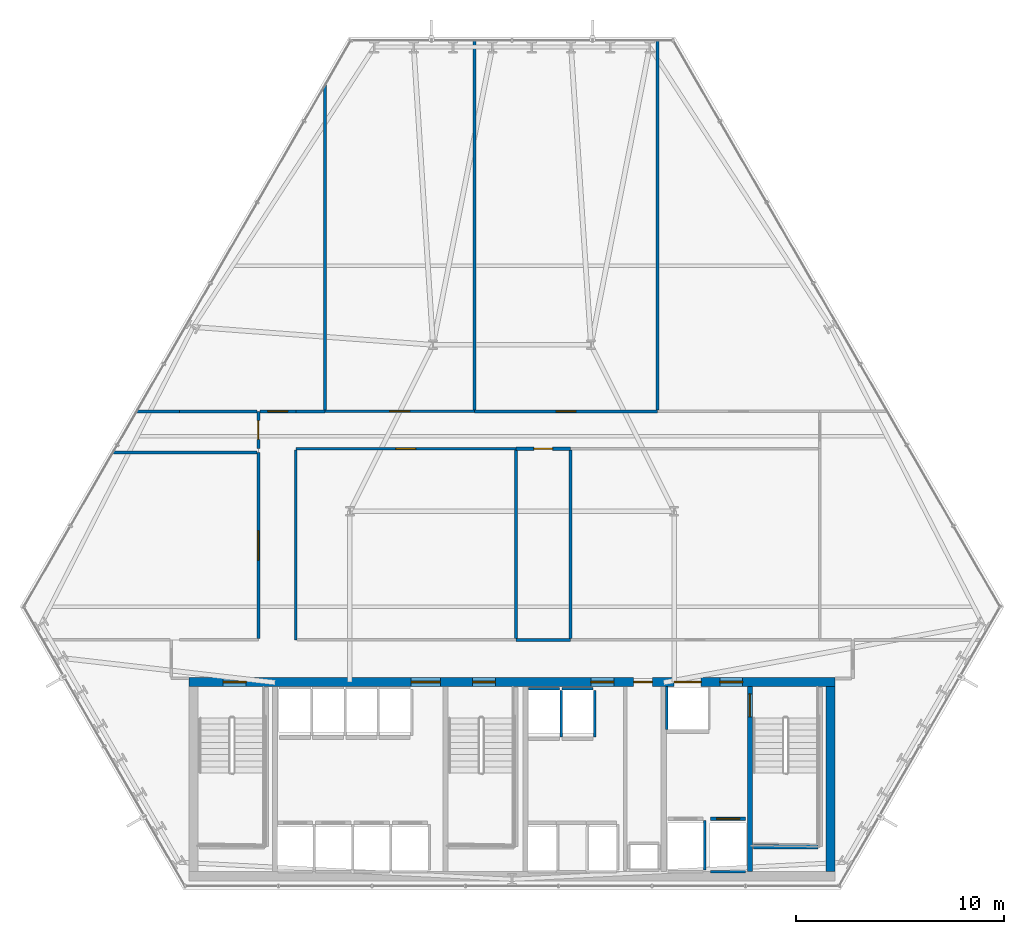
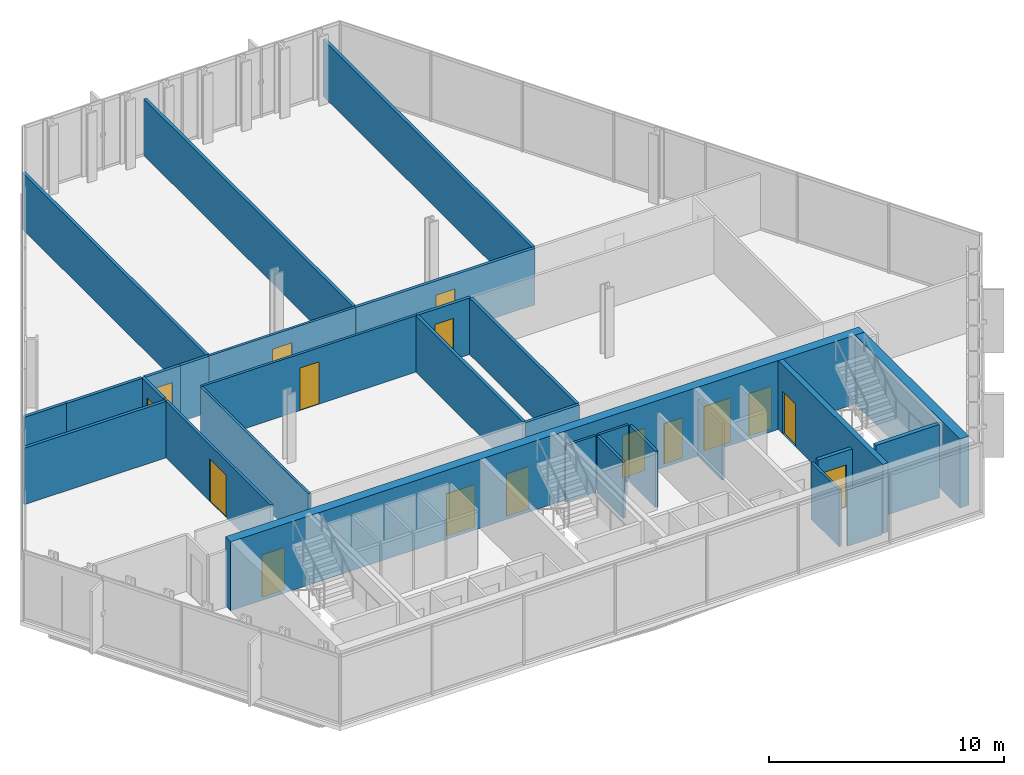
# One storey, part 27 of 32: 30 walls, 16 doors, 16 openings.
"""IFC4 building model written with IfcOpenShell, lengths in metres."""

from ifc_helpers import new_model, si_unit, direction, frame, frame_2d, origin, place, context, subcontext, project, spatial, rectangle, extrude, material, layer, layer_set, type_object, element, fill, save


model = new_model("IFC4")

# Units and contexts
model_context = context("Model", 3, precision=1e-05, world=origin(), true_north=direction((0.0, 1.0)))
body_context = subcontext(model_context, "Body", "Model", "MODEL_VIEW")
ifc_project = project(units=[si_unit("LENGTHUNIT", "METRE"), si_unit("AREAUNIT", "SQUARE_METRE"), si_unit("VOLUMEUNIT", "CUBIC_METRE"), si_unit("PLANEANGLEUNIT", "RADIAN"), si_unit("MASSUNIT", "GRAM", prefix="KILO")], contexts=[model_context])

# Site, building, storey
site_placement = place(None, origin())
site = spatial("IfcSite", under=ifc_project, at=site_placement, CompositionType="ELEMENT")
building_placement = place(site_placement, origin())
building = spatial("IfcBuilding", under=site, at=building_placement, Name="Ndaravel Arena Tower", CompositionType="ELEMENT")
storey_placement = place(building_placement, frame((0.0, 0.0, 62.60009765625)))
storey = spatial("IfcBuildingStorey", under=building, at=storey_placement, Name="L13", CompositionType="ELEMENT", Elevation=62.60009765625)

# Wall, opening, door
ifc_material_1 = material(Name="Concrete C60/75", Category="concrete")
ifc_layer_1 = layer(ifc_material_1, 0.25)
ifc_layer_set_1 = layer_set([ifc_layer_1], Name="Concrete C60/75")
wall_type_1 = type_object("IfcWallType", Name="WALL-CORE-250", PredefinedType="SOLIDWALL", material=ifc_layer_set_1)
wall_1_placement = place(storey_placement, frame((53.449951171875, 5.85009765625, 0.0), z_axis=(0.0, 0.0, 1.0), x_axis=(0.0, 1.0, 0.0)))
wall_1 = element("IfcWall", 1, at=wall_1_placement, inside=storey, type_object=wall_type_1, Name="L13 Core Web Shear Wall 5", PredefinedType="SOLIDWALL", context=body_context, shape_type="SweptSolid", body=[
    extrude(rectangle(XDim=8.89990234375, YDim=0.25, at=frame_2d((4.449951171875, 0.0))), origin(), (0.0, 0.0, 1.0), 3.579833984375),
])
opening_1_placement = place(wall_1_placement, frame((7.449951171875, 0.0, 0.0)))
opening_1 = element("IfcOpeningElement", 2, at=opening_1_placement, cuts=wall_1, Name="Opening FD-01", PredefinedType="OPENING", context=body_context, shape_type="SweptSolid", body=[
    extrude(rectangle(XDim=1.10009765625, YDim=2.199951171875, at=frame_2d((0.550048828125, 1.10009765625))), frame((0.0, 0.125, 0.0), z_axis=(0.0, -1.0, 0.0), x_axis=(1.0, 0.0, 0.0)), (0.0, 0.0, 1.0), 0.25),
])
ifc_material_2 = material(Name="Steel S355", Category="steel")
door_type_1 = type_object("IfcDoorType", Name="DT-01-STAIR-1100", OperationType="SINGLE_SWING_LEFT", PredefinedType="DOOR", material=ifc_material_2)
door_1_placement = place(opening_1_placement, origin())
door_1 = element("IfcDoor", 3, at=door_1_placement, inside=storey, type_object=door_type_1, Name="L13 Firefighting Lobby to ST-3 Door", OperationType="SINGLE_SWING_LEFT", OverallHeight=2.199951171875, OverallWidth=1.10009765625, PredefinedType="DOOR", context=body_context, shape_type="SweptSolid", body=[
    extrude(rectangle(XDim=1.10009765625, YDim=2.199951171875, at=frame_2d((0.550048828125, 1.10009765625))), frame((0.0, 0.02490234375, 0.0), z_axis=(0.0, -1.0, 0.0), x_axis=(1.0, 0.0, 0.0)), (0.0, 0.0, 1.0), 0.050048828125),
])
fill(opening_1, door_1)

# Wall, openings, doors
ifc_material_3 = material(Name="Concrete C60/75", Category="concrete")
ifc_layer_2 = layer(ifc_material_3, 0.449951171875)
ifc_layer_set_2 = layer_set([ifc_layer_2], Name="Concrete C60/75")
wall_type_2 = type_object("IfcWallType", Name="WALL-CORE-450", PredefinedType="SOLIDWALL", material=ifc_layer_set_2)
wall_2_placement = place(storey_placement, frame((26.449951171875, 14.97509765625, 0.0), z_axis=(0.0, 0.0, 1.0), x_axis=(1.0, 0.0, 0.0)))
wall_2 = element("IfcWall", 4, at=wall_2_placement, inside=storey, type_object=wall_type_2, Name="L13 Core North Shear Wall", PredefinedType="SOLIDWALL", context=body_context, shape_type="SweptSolid", body=[
    extrude(rectangle(XDim=31.10009765625, YDim=0.449951171875, at=frame_2d((15.550048828125, 0.0))), origin(), (0.0, 0.0, 1.0), 3.579833984375),
])
opening_2_placement = place(wall_2_placement, frame((1.64990234375, 0.0, 0.0)))
opening_2 = element("IfcOpeningElement", 5, at=opening_2_placement, cuts=wall_2, Name="Opening FD-01", PredefinedType="OPENING", context=body_context, shape_type="SweptSolid", body=[
    extrude(rectangle(XDim=1.10009765625, YDim=2.199951171875, at=frame_2d((0.550048828125, 1.10009765625))), frame((0.0, 0.22509765625, 0.0), z_axis=(0.0, -1.0, 0.0), x_axis=(1.0, 0.0, 0.0)), (0.0, 0.0, 1.0), 0.449951171875),
])
opening_3_placement = place(wall_2_placement, frame((13.64990234375, 0.0, 0.0)))
opening_3 = element("IfcOpeningElement", 6, at=opening_3_placement, cuts=wall_2, Name="Opening FD-01", PredefinedType="OPENING", context=body_context, shape_type="SweptSolid", body=[
    extrude(rectangle(XDim=1.10009765625, YDim=2.199951171875, at=frame_2d((0.550048828125, 1.10009765625))), frame((0.0, 0.22509765625, 0.0), z_axis=(0.0, -1.0, 0.0), x_axis=(1.0, 0.0, 0.0)), (0.0, 0.0, 1.0), 0.449951171875),
])
opening_4_placement = place(wall_2_placement, frame((25.550048828125, 0.0, 0.0)))
opening_4 = element("IfcOpeningElement", 7, at=opening_4_placement, cuts=wall_2, Name="Opening FD-01", PredefinedType="OPENING", context=body_context, shape_type="SweptSolid", body=[
    extrude(rectangle(XDim=1.10009765625, YDim=2.199951171875, at=frame_2d((0.550048828125, 1.10009765625))), frame((0.0, 0.22509765625, 0.0), z_axis=(0.0, -1.0, 0.0), x_axis=(1.0, 0.0, 0.0)), (0.0, 0.0, 1.0), 0.449951171875),
])
opening_5_placement = place(wall_2_placement, frame((10.699951171875, 0.0, 0.0)))
opening_5 = element("IfcOpeningElement", 8, at=opening_5_placement, cuts=wall_2, Name="Opening ID-02", PredefinedType="OPENING", context=body_context, shape_type="SweptSolid", body=[
    extrude(rectangle(XDim=1.39990234375, YDim=2.199951171875, at=frame_2d((0.699951171875, 1.10009765625))), frame((0.0, 0.22509765625, 0.0), z_axis=(0.0, -1.0, 0.0), x_axis=(1.0, 0.0, 0.0)), (0.0, 0.0, 1.0), 0.449951171875),
])
opening_6_placement = place(wall_2_placement, frame((19.35009765625, 0.0, 0.0)))
opening_6 = element("IfcOpeningElement", 9, at=opening_6_placement, cuts=wall_2, Name="Opening FD-01", PredefinedType="OPENING", context=body_context, shape_type="SweptSolid", body=[
    extrude(rectangle(XDim=1.10009765625, YDim=2.199951171875, at=frame_2d((0.550048828125, 1.10009765625))), frame((0.0, 0.22509765625, 0.0), z_axis=(0.0, -1.0, 0.0), x_axis=(1.0, 0.0, 0.0)), (0.0, 0.0, 1.0), 0.449951171875),
])
opening_7_placement = place(wall_2_placement, frame((21.39990234375, 0.0, 0.0)))
opening_7 = element("IfcOpeningElement", 10, at=opening_7_placement, cuts=wall_2, Name="Opening RD-01", PredefinedType="OPENING", context=body_context, shape_type="SweptSolid", body=[
    extrude(rectangle(XDim=0.89990234375, YDim=2.10009765625, at=frame_2d((0.449951171875, 1.050048828125))), frame((0.0, 0.22509765625, 0.0), z_axis=(0.0, -1.0, 0.0), x_axis=(1.0, 0.0, 0.0)), (0.0, 0.0, 1.0), 0.449951171875),
])
opening_8_placement = place(wall_2_placement, frame((23.35009765625, 0.0, 0.0)))
opening_8 = element("IfcOpeningElement", 11, at=opening_8_placement, cuts=wall_2, Name="Opening LD-02", PredefinedType="OPENING", context=body_context, shape_type="SweptSolid", body=[
    extrude(rectangle(XDim=1.300048828125, YDim=2.300048828125, at=frame_2d((0.64990234375, 1.14990234375))), frame((0.0, 0.22509765625, 0.0), z_axis=(0.0, -1.0, 0.0), x_axis=(1.0, 0.0, 0.0)), (0.0, 0.0, 1.0), 0.449951171875),
])
door_2_placement = place(opening_2_placement, origin())
door_2 = element("IfcDoor", 12, at=door_2_placement, inside=storey, type_object=door_type_1, Name="L13 Exit Stair ST-1 Door", OperationType="SINGLE_SWING_RIGHT", OverallHeight=2.199951171875, OverallWidth=1.10009765625, PredefinedType="DOOR", context=body_context, shape_type="SweptSolid", body=[
    extrude(rectangle(XDim=1.10009765625, YDim=2.199951171875, at=frame_2d((0.550048828125, 1.10009765625))), frame((0.0, 0.02490234375, 0.0), z_axis=(0.0, -1.0, 0.0), x_axis=(1.0, 0.0, 0.0)), (0.0, 0.0, 1.0), 0.050048828125),
])
fill(opening_2, door_2)
door_3_placement = place(opening_3_placement, origin())
door_3 = element("IfcDoor", 13, at=door_3_placement, inside=storey, type_object=door_type_1, Name="L13 Exit Stair ST-2 Door", OperationType="SINGLE_SWING_LEFT", OverallHeight=2.199951171875, OverallWidth=1.10009765625, PredefinedType="DOOR", context=body_context, shape_type="SweptSolid", body=[
    extrude(rectangle(XDim=1.10009765625, YDim=2.199951171875, at=frame_2d((0.550048828125, 1.10009765625))), frame((0.0, 0.02490234375, 0.0), z_axis=(0.0, -1.0, 0.0), x_axis=(1.0, 0.0, 0.0)), (0.0, 0.0, 1.0), 0.050048828125),
])
fill(opening_3, door_3)
door_4_placement = place(opening_4_placement, origin())
door_4 = element("IfcDoor", 14, at=door_4_placement, inside=storey, type_object=door_type_1, Name="L13 Firefighting Lift Lobby Door", OperationType="SINGLE_SWING_RIGHT", OverallHeight=2.199951171875, OverallWidth=1.10009765625, PredefinedType="DOOR", context=body_context, shape_type="SweptSolid", body=[
    extrude(rectangle(XDim=1.10009765625, YDim=2.199951171875, at=frame_2d((0.550048828125, 1.10009765625))), frame((0.0, 0.02490234375, 0.0), z_axis=(0.0, -1.0, 0.0), x_axis=(1.0, 0.0, 0.0)), (0.0, 0.0, 1.0), 0.050048828125),
])
fill(opening_4, door_4)
door_5_placement = place(opening_6_placement, origin())
door_5 = element("IfcDoor", 15, at=door_5_placement, inside=storey, type_object=door_type_1, Name="L13 Express Lift Lobby Entry Door", OperationType="SINGLE_SWING_LEFT", OverallHeight=2.199951171875, OverallWidth=1.10009765625, PredefinedType="DOOR", context=body_context, shape_type="SweptSolid", body=[
    extrude(rectangle(XDim=1.10009765625, YDim=2.199951171875, at=frame_2d((0.550048828125, 1.10009765625))), frame((0.0, 0.02490234375, 0.0), z_axis=(0.0, -1.0, 0.0), x_axis=(1.0, 0.0, 0.0)), (0.0, 0.0, 1.0), 0.050048828125),
])
fill(opening_6, door_5)
ifc_material_4 = material(Name="Timber", Category="wood")
door_type_2 = type_object("IfcDoorType", Name="DT-04-SUITE-1400", OperationType="DOUBLE_DOOR_SINGLE_SWING", PredefinedType="DOOR", material=ifc_material_4)
door_6_placement = place(opening_5_placement, origin())
door_6 = element("IfcDoor", 16, at=door_6_placement, inside=storey, type_object=door_type_2, Name="L13 West Lift Lobby Entry Door", OperationType="DOUBLE_DOOR_SINGLE_SWING", OverallHeight=2.199951171875, OverallWidth=1.39990234375, PredefinedType="DOOR", context=body_context, shape_type="SweptSolid", body=[
    extrude(rectangle(XDim=1.39990234375, YDim=2.199951171875, at=frame_2d((0.699951171875, 1.10009765625))), frame((0.0, 0.02490234375, 0.0), z_axis=(0.0, -1.0, 0.0), x_axis=(1.0, 0.0, 0.0)), (0.0, 0.0, 1.0), 0.050048828125),
])
fill(opening_5, door_6)
ifc_material_5 = material(Name="Steel S355", Category="steel")
door_type_3 = type_object("IfcDoorType", Name="DT-07-SVLIFT-1300", OperationType="DOUBLE_DOOR_SLIDING", PredefinedType="DOOR", material=ifc_material_5)
door_7_placement = place(opening_8_placement, origin())
door_7 = element("IfcDoor", 17, at=door_7_placement, inside=storey, type_object=door_type_3, Name="L13 Lift SVL-1 Sliding Landing Door", OperationType="DOUBLE_DOOR_SLIDING", OverallHeight=2.300048828125, OverallWidth=1.300048828125, PredefinedType="DOOR", context=body_context, shape_type="SweptSolid", body=[
    extrude(rectangle(XDim=1.300048828125, YDim=2.300048828125, at=frame_2d((0.64990234375, 1.14990234375))), frame((0.0, 0.02490234375, 0.0), z_axis=(0.0, -1.0, 0.0), x_axis=(1.0, 0.0, 0.0)), (0.0, 0.0, 1.0), 0.050048828125),
])
fill(opening_8, door_7)
ifc_material_6 = material(Name="Steel S355", Category="steel")
door_type_4 = type_object("IfcDoorType", Name="DT-08-RISER-900", OperationType="SINGLE_SWING_LEFT", PredefinedType="DOOR", material=ifc_material_6)
door_8_placement = place(opening_7_placement, origin())
door_8 = element("IfcDoor", 18, at=door_8_placement, inside=storey, type_object=door_type_4, Name="L13 Core Service Riser North Door", OperationType="SINGLE_SWING_LEFT", OverallHeight=2.10009765625, OverallWidth=0.89990234375, PredefinedType="DOOR", context=body_context, shape_type="SweptSolid", body=[
    extrude(rectangle(XDim=0.89990234375, YDim=2.10009765625, at=frame_2d((0.449951171875, 1.050048828125))), frame((0.0, 0.02490234375, 0.0), z_axis=(0.0, -1.0, 0.0), x_axis=(1.0, 0.0, 0.0)), (0.0, 0.0, 1.0), 0.050048828125),
])
fill(opening_7, door_8)

# Wall
wall_3_placement = place(storey_placement, frame((57.324951171875, 5.85009765625, 0.0), z_axis=(0.0, 0.0, 1.0), x_axis=(0.0, 1.0, 0.0)))
element("IfcWall", 19, at=wall_3_placement, inside=storey, type_object=wall_type_2, Name="L13 Core East Shear Wall", PredefinedType="SOLIDWALL", context=body_context, shape_type="SweptSolid", body=[
    extrude(rectangle(XDim=8.89990234375, YDim=0.449951171875, at=frame_2d((4.449951171875, 0.0))), origin(), (0.0, 0.0, 1.0), 3.579833984375),
])

# Wall, opening, door
ifc_material_7 = material(Name="Gypsum", Category="gypsum")
ifc_layer_3 = layer(ifc_material_7, 0.125)
ifc_layer_set_3 = layer_set([ifc_layer_3], Name="Gypsum")
wall_type_3 = type_object("IfcWallType", Name="WALL-PART-125", PredefinedType="PARTITIONING", material=ifc_layer_set_3)
wall_4_placement = place(storey_placement, frame((29.800048828125, 17.06494140625, 0.0), z_axis=(0.0, 0.0, 1.0), x_axis=(0.0, 1.0, 0.0)))
wall_4 = element("IfcWall", 20, at=wall_4_placement, inside=storey, type_object=wall_type_3, Name="L13 Interior Partition 006", PredefinedType="PARTITIONING", context=body_context, shape_type="SweptSolid", body=[
    extrude(rectangle(XDim=8.955078125, YDim=0.125, at=frame_2d((4.4775390625, 0.0))), origin(), (0.0, 0.0, 1.0), 2.9326171875),
])
opening_9_placement = place(wall_4_placement, frame((3.777587890625, 0.0, 0.0)))
opening_9 = element("IfcOpeningElement", 21, at=opening_9_placement, cuts=wall_4, Name="Opening ID-02", PredefinedType="OPENING", context=body_context, shape_type="SweptSolid", body=[
    extrude(rectangle(XDim=1.39990234375, YDim=2.199951171875, at=frame_2d((0.699951171875, 1.10009765625))), frame((0.0, 0.0625, 0.0), z_axis=(0.0, -1.0, 0.0), x_axis=(1.0, 0.0, 0.0)), (0.0, 0.0, 1.0), 0.125),
])
door_9_placement = place(opening_9_placement, origin())
door_9 = element("IfcDoor", 22, at=door_9_placement, inside=storey, type_object=door_type_2, Name="L13 Visitor Reception Desk Door", OperationType="SINGLE_SWING_RIGHT", OverallHeight=2.199951171875, OverallWidth=1.39990234375, PredefinedType="DOOR", context=body_context, shape_type="SweptSolid", body=[
    extrude(rectangle(XDim=1.39990234375, YDim=2.199951171875, at=frame_2d((0.699951171875, 1.10009765625))), frame((0.0, 0.02490234375, 0.0), z_axis=(0.0, -1.0, 0.0), x_axis=(1.0, 0.0, 0.0)), (0.0, 0.0, 1.0), 0.050048828125),
])
fill(opening_9, door_9)

wall_5_placement = place(storey_placement, frame((33.0, 28.0, 0.0), z_axis=(0.0, 0.0, 1.0), x_axis=(1.0, 0.0, 0.0)))
wall_5 = element("IfcWall", 23, at=wall_5_placement, inside=storey, type_object=wall_type_3, Name="L13 Interior Partition 010", PredefinedType="PARTITIONING", context=body_context, shape_type="SweptSolid", body=[
    extrude(rectangle(XDim=7.199951171875, YDim=0.125, at=frame_2d((3.60009765625, 0.0))), origin(), (0.0, 0.0, 1.0), 2.9326171875),
])
opening_10_placement = place(wall_5_placement, frame((3.125, 0.0, 0.0)))
opening_10 = element("IfcOpeningElement", 24, at=opening_10_placement, cuts=wall_5, Name="Opening ID-01", PredefinedType="OPENING", context=body_context, shape_type="SweptSolid", body=[
    extrude(rectangle(XDim=0.949951171875, YDim=2.199951171875, at=frame_2d((0.47509765625, 1.10009765625))), frame((0.0, 0.0625, 0.0), z_axis=(0.0, -1.0, 0.0), x_axis=(1.0, 0.0, 0.0)), (0.0, 0.0, 1.0), 0.125),
])
ifc_material_8 = material(Name="Timber", Category="wood")
door_type_5 = type_object("IfcDoorType", Name="DT-03-OFFICE-950", OperationType="SINGLE_SWING_LEFT", PredefinedType="DOOR", material=ifc_material_8)
door_10_placement = place(opening_10_placement, origin())
door_10 = element("IfcDoor", 25, at=door_10_placement, inside=storey, type_object=door_type_5, Name="L13 Executive Corner Office 4 Door", OperationType="SINGLE_SWING_RIGHT", OverallHeight=2.199951171875, OverallWidth=0.949951171875, PredefinedType="DOOR", context=body_context, shape_type="SweptSolid", body=[
    extrude(rectangle(XDim=0.949951171875, YDim=2.199951171875, at=frame_2d((0.47509765625, 1.10009765625))), frame((0.0, 0.02490234375, 0.0), z_axis=(0.0, -1.0, 0.0), x_axis=(1.0, 0.0, 0.0)), (0.0, 0.0, 1.0), 0.050048828125),
])
fill(opening_10, door_10)

wall_6_placement = place(storey_placement, frame((42.18408203125, 26.199951171875, 0.0), z_axis=(0.0, 0.0, 1.0), x_axis=(-1.0, 0.0, 0.0)))
wall_6 = element("IfcWall", 26, at=wall_6_placement, inside=storey, type_object=wall_type_3, Name="L13 Interior Partition 016", PredefinedType="PARTITIONING", context=body_context, shape_type="SweptSolid", body=[
    extrude(rectangle(XDim=10.583984375, YDim=0.125, at=frame_2d((5.2919921875, 0.0))), origin(), (0.0, 0.0, 1.0), 2.9326171875),
])
opening_11_placement = place(wall_6_placement, frame((4.81689453125, 0.0, 0.0)))
opening_11 = element("IfcOpeningElement", 27, at=opening_11_placement, cuts=wall_6, Name="Opening ID-01", PredefinedType="OPENING", context=body_context, shape_type="SweptSolid", body=[
    extrude(rectangle(XDim=0.949951171875, YDim=2.199951171875, at=frame_2d((0.47509765625, 1.10009765625))), frame((0.0, 0.0625, 0.0), z_axis=(0.0, -1.0, 0.0), x_axis=(1.0, 0.0, 0.0)), (0.0, 0.0, 1.0), 0.125),
])
door_11_placement = place(opening_11_placement, origin())
door_11 = element("IfcDoor", 28, at=door_11_placement, inside=storey, type_object=door_type_5, Name="L13 Floor Security Control Room Door", OperationType="SINGLE_SWING_LEFT", OverallHeight=2.199951171875, OverallWidth=0.949951171875, PredefinedType="DOOR", context=body_context, shape_type="SweptSolid", body=[
    extrude(rectangle(XDim=0.949951171875, YDim=2.199951171875, at=frame_2d((0.47509765625, 1.10009765625))), frame((0.0, 0.02490234375, 0.0), z_axis=(0.0, -1.0, 0.0), x_axis=(1.0, 0.0, 0.0)), (0.0, 0.0, 1.0), 0.050048828125),
])
fill(opening_11, door_11)

# Walls
wall_7_placement = place(storey_placement, frame((31.60009765625, 26.135009765625, 0.0), z_axis=(0.0, 0.0, 1.0), x_axis=(0.0, -1.0, 0.0)))
element("IfcWall", 29, at=wall_7_placement, inside=storey, type_object=wall_type_3, Name="L13 Interior Partition 017", PredefinedType="PARTITIONING", context=body_context, shape_type="SweptSolid", body=[
    extrude(rectangle(XDim=9.135009765625, YDim=0.125, at=frame_2d((4.5673828125, 0.0))), origin(), (0.0, 0.0, 1.0), 2.9326171875),
])
ifc_material_9 = material(Name="Concrete C40/50", Category="concrete")
ifc_layer_4 = layer(ifc_material_9, 0.1201171875)
ifc_layer_set_4 = layer_set([ifc_layer_4], Name="Concrete C40/50")
wall_type_4 = type_object("IfcWallType", Name="WALL-SHAFT-120", PredefinedType="SOLIDWALL", material=ifc_layer_set_4)
wall_8_placement = place(storey_placement, frame((42.804931640625, 14.659912109375, 0.0), z_axis=(0.0, 0.0, 1.0), x_axis=(1.0, 0.0, 0.0)))
element("IfcWall", 30, at=wall_8_placement, inside=storey, type_object=wall_type_4, Name="L13 PL-OBS1 Shaft Rear Wall", PredefinedType="SOLIDWALL", context=body_context, shape_type="SweptSolid", body=[
    extrude(rectangle(XDim=1.489990234375, YDim=0.1201171875, at=frame_2d((0.7451171875, 0.0))), origin(), (0.0, 0.0, 1.0), 2.9326171875),
])
wall_9_placement = place(storey_placement, frame((44.375, 12.340087890625, 0.0), z_axis=(0.0, 0.0, 1.0), x_axis=(0.0, 1.0, 0.0)))
element("IfcWall", 31, at=wall_9_placement, inside=storey, type_object=wall_type_4, Name="L13 PL-OBS1 Shaft Side R Wall", PredefinedType="SOLIDWALL", context=body_context, shape_type="SweptSolid", body=[
    extrude(rectangle(XDim=2.22998046875, YDim=0.1201171875, at=frame_2d((1.114990234375, 0.0))), origin(), (0.0, 0.0, 1.0), 2.9326171875),
])
wall_10_placement = place(storey_placement, frame((44.405029296875, 14.659912109375, 0.0), z_axis=(0.0, 0.0, 1.0), x_axis=(1.0, 0.0, 0.0)))
element("IfcWall", 32, at=wall_10_placement, inside=storey, type_object=wall_type_4, Name="L13 PL-OBS2 Shaft Rear Wall", PredefinedType="SOLIDWALL", context=body_context, shape_type="SweptSolid", body=[
    extrude(rectangle(XDim=1.489990234375, YDim=0.1201171875, at=frame_2d((0.7451171875, 0.0))), origin(), (0.0, 0.0, 1.0), 2.9326171875),
])
wall_11_placement = place(storey_placement, frame((45.97509765625, 12.340087890625, 0.0), z_axis=(0.0, 0.0, 1.0), x_axis=(0.0, 1.0, 0.0)))
element("IfcWall", 33, at=wall_11_placement, inside=storey, type_object=wall_type_4, Name="L13 PL-OBS2 Shaft Side R Wall", PredefinedType="SOLIDWALL", context=body_context, shape_type="SweptSolid", body=[
    extrude(rectangle(XDim=2.22998046875, YDim=0.1201171875, at=frame_2d((1.114990234375, 0.0))), origin(), (0.0, 0.0, 1.0), 2.9326171875),
])
wall_12_placement = place(storey_placement, frame((51.27490234375, 5.929931640625, 0.0), z_axis=(0.0, 0.0, 1.0), x_axis=(0.0, 1.0, 0.0)))
element("IfcWall", 34, at=wall_12_placement, inside=storey, type_object=wall_type_4, Name="L13 FFL-1 Shaft Side R Wall", PredefinedType="SOLIDWALL", context=body_context, shape_type="SweptSolid", body=[
    extrude(rectangle(XDim=2.380126953125, YDim=0.1201171875, at=frame_2d((1.18994140625, 0.0))), origin(), (0.0, 0.0, 1.0), 2.9326171875),
])
wall_13_placement = place(storey_placement, frame((51.554931640625, 5.840087890625, 0.0), z_axis=(0.0, 0.0, 1.0), x_axis=(1.0, 0.0, 0.0)))
element("IfcWall", 35, at=wall_13_placement, inside=storey, type_object=wall_type_4, Name="L13 FFL-2 Shaft Rear Wall", PredefinedType="SOLIDWALL", context=body_context, shape_type="SweptSolid", body=[
    extrude(rectangle(XDim=1.690185546875, YDim=0.1201171875, at=frame_2d((0.84521484375, 0.0))), origin(), (0.0, 0.0, 1.0), 2.9326171875),
])
wall_14_placement = place(storey_placement, frame((49.43994140625, 12.68994140625, 0.0), z_axis=(0.0, 0.0, 1.0), x_axis=(0.0, 1.0, 0.0)))
element("IfcWall", 36, at=wall_14_placement, inside=storey, type_object=wall_type_4, Name="L13 SVL-1 Shaft W Wall", PredefinedType="SOLIDWALL", context=body_context, shape_type="SweptSolid", body=[
    extrude(rectangle(XDim=2.070068359375, YDim=0.1201171875, at=frame_2d((1.03515625, 0.0))), origin(), (0.0, 0.0, 1.0), 2.9326171875),
])
ifc_material_10 = material(Name="Concrete C40/50", Category="concrete")
ifc_layer_5 = layer(ifc_material_10, 0.199951171875)
ifc_layer_set_5 = layer_set([ifc_layer_5], Name="Concrete C40/50")
wall_type_5 = type_object("IfcWallType", Name="WALL-SHAFT-200", PredefinedType="SOLIDWALL", material=ifc_layer_set_5)
wall_15_placement = place(storey_placement, frame((53.6201171875, 7.050048828125, 0.0), z_axis=(0.0, 0.0, 1.0), x_axis=(1.0, 0.0, 0.0)))
element("IfcWall", 37, at=wall_15_placement, inside=storey, type_object=wall_type_5, Name="L13 ST-3 Structural Shaft Wall Far", PredefinedType="SOLIDWALL", context=body_context, shape_type="SweptSolid", body=[
    extrude(rectangle(XDim=3.114990234375, YDim=0.199951171875, at=frame_2d((1.5576171875, 0.0))), origin(), (0.0, 0.0, 1.0), 3.7998046875),
])

# Wall, opening, door
wall_16_placement = place(storey_placement, frame((51.554931640625, 8.39990234375, 0.0), z_axis=(0.0, 0.0, 1.0), x_axis=(1.0, 0.0, 0.0)))
wall_16 = element("IfcWall", 38, at=wall_16_placement, inside=storey, type_object=wall_type_5, Name="L13 FFL-2 Shaft Landing Wall", PredefinedType="SOLIDWALL", context=body_context, shape_type="SweptSolid", body=[
    extrude(rectangle(XDim=1.690185546875, YDim=0.179931640625, at=frame_2d((0.84521484375, 0.0))), origin(), (0.0, 0.0, 1.0), 2.9326171875),
])
opening_12_placement = place(wall_16_placement, frame((0.294921875, 0.0, 0.0)))
opening_12 = element("IfcOpeningElement", 39, at=opening_12_placement, cuts=wall_16, Name="Opening LD-01", PredefinedType="OPENING", context=body_context, shape_type="SweptSolid", body=[
    extrude(rectangle(XDim=1.10009765625, YDim=2.199951171875, at=frame_2d((0.550048828125, 1.10009765625))), frame((0.0, 0.08984375, 0.0), z_axis=(0.0, -1.0, 0.0), x_axis=(1.0, 0.0, 0.0)), (0.0, 0.0, 1.0), 0.179931640625),
])
ifc_material_11 = material(Name="Steel S355", Category="steel")
door_type_6 = type_object("IfcDoorType", Name="DT-06-LIFT-1100", OperationType="SLIDING_TO_LEFT", PredefinedType="DOOR", material=ifc_material_11)
door_12_placement = place(opening_12_placement, origin())
door_12 = element("IfcDoor", 40, at=door_12_placement, inside=storey, type_object=door_type_6, Name="L13 Lift FFL-2 Sliding Landing Door", OperationType="SLIDING_TO_LEFT", OverallHeight=2.199951171875, OverallWidth=1.10009765625, PredefinedType="DOOR", context=body_context, shape_type="SweptSolid", body=[
    extrude(rectangle(XDim=1.10009765625, YDim=2.199951171875, at=frame_2d((0.550048828125, 1.10009765625))), frame((0.0, 0.02490234375, 0.0), z_axis=(0.0, -1.0, 0.0), x_axis=(1.0, 0.0, 0.0)), (0.0, 0.0, 1.0), 0.050048828125),
])
fill(opening_12, door_12)

ifc_material_12 = material(Name="Masonry", Category="masonry")
ifc_layer_6 = layer(ifc_material_12, 0.14990234375)
ifc_layer_set_6 = layer_set([ifc_layer_6], Name="Masonry")
wall_type_6 = type_object("IfcWallType", Name="WALL-WET-150", PredefinedType="PARTITIONING", material=ifc_layer_set_6)
wall_17_placement = place(storey_placement, frame((29.800048828125, 26.199951171875, 0.0), z_axis=(0.0, 0.0, 1.0), x_axis=(0.0, 1.0, 0.0)))
wall_17 = element("IfcWall", 41, at=wall_17_placement, inside=storey, type_object=wall_type_6, Name="L13 Interior Partition 007", PredefinedType="PARTITIONING", context=body_context, shape_type="SweptSolid", body=[
    extrude(rectangle(XDim=1.800048828125, YDim=0.14990234375, at=frame_2d((0.89990234375, 0.0))), origin(), (0.0, 0.0, 1.0), 2.9326171875),
])
opening_13_placement = place(wall_17_placement, frame((0.449951171875, 0.0, 0.0)))
opening_13 = element("IfcOpeningElement", 42, at=opening_13_placement, cuts=wall_17, Name="Opening WD-01", PredefinedType="OPENING", context=body_context, shape_type="SweptSolid", body=[
    extrude(rectangle(XDim=0.89990234375, YDim=2.14990234375, at=frame_2d((0.449951171875, 1.074951171875))), frame((0.0, 0.074951171875, 0.0), z_axis=(0.0, -1.0, 0.0), x_axis=(1.0, 0.0, 0.0)), (0.0, 0.0, 1.0), 0.14990234375),
])
ifc_material_13 = material(Name="Timber", Category="wood")
door_type_7 = type_object("IfcDoorType", Name="DT-05-WC-900", OperationType="SINGLE_SWING_LEFT", PredefinedType="DOOR", material=ifc_material_13)
door_13_placement = place(opening_13_placement, origin())
door_13 = element("IfcDoor", 43, at=door_13_placement, inside=storey, type_object=door_type_7, Name="L13 Female & Accessible Restroom Door", OperationType="SINGLE_SWING_LEFT", OverallHeight=2.14990234375, OverallWidth=0.89990234375, PredefinedType="DOOR", context=body_context, shape_type="SweptSolid", body=[
    extrude(rectangle(XDim=0.89990234375, YDim=2.14990234375, at=frame_2d((0.449951171875, 1.074951171875))), frame((0.0, 0.02490234375, 0.0), z_axis=(0.0, -1.0, 0.0), x_axis=(1.0, 0.0, 0.0)), (0.0, 0.0, 1.0), 0.050048828125),
])
fill(opening_13, door_13)

wall_18_placement = place(storey_placement, frame((29.864990234375, 28.0, 0.0), z_axis=(0.0, 0.0, 1.0), x_axis=(1.0, 0.0, 0.0)))
wall_18 = element("IfcWall", 44, at=wall_18_placement, inside=storey, type_object=wall_type_6, Name="L13 Interior Partition 008", PredefinedType="PARTITIONING", context=body_context, shape_type="SweptSolid", body=[
    extrude(rectangle(XDim=1.735107421875, YDim=0.14990234375, at=frame_2d((0.86767578125, 0.0))), origin(), (0.0, 0.0, 1.0), 2.9326171875),
])
opening_14_placement = place(wall_18_placement, frame((0.392578125, 0.0, 0.0)))
opening_14 = element("IfcOpeningElement", 45, at=opening_14_placement, cuts=wall_18, Name="Opening FD-03", PredefinedType="OPENING", context=body_context, shape_type="SweptSolid", body=[
    extrude(rectangle(XDim=0.949951171875, YDim=2.199951171875, at=frame_2d((0.47509765625, 1.10009765625))), frame((0.0, 0.074951171875, 0.0), z_axis=(0.0, -1.0, 0.0), x_axis=(1.0, 0.0, 0.0)), (0.0, 0.0, 1.0), 0.14990234375),
])
ifc_material_14 = material(Name="Steel S355", Category="steel")
door_type_8 = type_object("IfcDoorType", Name="DT-11-CORE-950", OperationType="SINGLE_SWING_LEFT", PredefinedType="DOOR", material=ifc_material_14)
door_14_placement = place(opening_14_placement, origin())
door_14 = element("IfcDoor", 46, at=door_14_placement, inside=storey, type_object=door_type_8, Name="L13 Catering Pantry 2 Door", OperationType="SINGLE_SWING_RIGHT", OverallHeight=2.199951171875, OverallWidth=0.949951171875, PredefinedType="DOOR", context=body_context, shape_type="SweptSolid", body=[
    extrude(rectangle(XDim=0.949951171875, YDim=2.199951171875, at=frame_2d((0.47509765625, 1.10009765625))), frame((0.0, 0.02490234375, 0.0), z_axis=(0.0, -1.0, 0.0), x_axis=(1.0, 0.0, 0.0)), (0.0, 0.0, 1.0), 0.050048828125),
])
fill(opening_14, door_14)

# Wall
wall_19_placement = place(storey_placement, frame((31.60009765625, 28.0, 0.0), z_axis=(0.0, 0.0, 1.0), x_axis=(1.0, 0.0, 0.0)))
element("IfcWall", 47, at=wall_19_placement, inside=storey, type_object=wall_type_6, Name="L13 Interior Partition 009", PredefinedType="PARTITIONING", context=body_context, shape_type="SweptSolid", body=[
    extrude(rectangle(XDim=1.39990234375, YDim=0.14990234375, at=frame_2d((0.699951171875, 0.0))), origin(), (0.0, 0.0, 1.0), 2.9326171875),
])

# Wall, opening, door
wall_20_placement = place(storey_placement, frame((40.199951171875, 28.0, 0.0), z_axis=(0.0, 0.0, 1.0), x_axis=(1.0, 0.0, 0.0)))
wall_20 = element("IfcWall", 48, at=wall_20_placement, inside=storey, type_object=wall_type_6, Name="L13 Interior Partition 011", PredefinedType="PARTITIONING", context=body_context, shape_type="SweptSolid", body=[
    extrude(rectangle(XDim=8.800048828125, YDim=0.14990234375, at=frame_2d((4.39990234375, 0.0))), origin(), (0.0, 0.0, 1.0), 2.9326171875),
])
opening_15_placement = place(wall_20_placement, frame((3.925048828125, 0.0, 0.0)))
opening_15 = element("IfcOpeningElement", 49, at=opening_15_placement, cuts=wall_20, Name="Opening FD-03", PredefinedType="OPENING", context=body_context, shape_type="SweptSolid", body=[
    extrude(rectangle(XDim=0.949951171875, YDim=2.199951171875, at=frame_2d((0.47509765625, 1.10009765625))), frame((0.0, 0.074951171875, 0.0), z_axis=(0.0, -1.0, 0.0), x_axis=(1.0, 0.0, 0.0)), (0.0, 0.0, 1.0), 0.14990234375),
])
door_15_placement = place(opening_15_placement, origin())
door_15 = element("IfcDoor", 50, at=door_15_placement, inside=storey, type_object=door_type_8, Name="L13 Floor Servery Kitchen 4 Door", OperationType="SINGLE_SWING_LEFT", OverallHeight=2.199951171875, OverallWidth=0.949951171875, PredefinedType="DOOR", context=body_context, shape_type="SweptSolid", body=[
    extrude(rectangle(XDim=0.949951171875, YDim=2.199951171875, at=frame_2d((0.47509765625, 1.10009765625))), frame((0.0, 0.02490234375, 0.0), z_axis=(0.0, -1.0, 0.0), x_axis=(1.0, 0.0, 0.0)), (0.0, 0.0, 1.0), 0.050048828125),
])
fill(opening_15, door_15)

wall_21_placement = place(storey_placement, frame((44.81494140625, 26.199951171875, 0.0), z_axis=(0.0, 0.0, 1.0), x_axis=(-1.0, 0.0, 0.0)))
wall_21 = element("IfcWall", 51, at=wall_21_placement, inside=storey, type_object=wall_type_6, Name="L13 Interior Partition 015", PredefinedType="PARTITIONING", context=body_context, shape_type="SweptSolid", body=[
    extrude(rectangle(XDim=2.630859375, YDim=0.14990234375, at=frame_2d((1.3154296875, 0.0))), origin(), (0.0, 0.0, 1.0), 2.9326171875),
])
opening_16_placement = place(wall_21_placement, frame((0.865478515625, 0.0, 0.0)))
opening_16 = element("IfcOpeningElement", 52, at=opening_16_placement, cuts=wall_21, Name="Opening WD-01", PredefinedType="OPENING", context=body_context, shape_type="SweptSolid", body=[
    extrude(rectangle(XDim=0.89990234375, YDim=2.14990234375, at=frame_2d((0.449951171875, 1.074951171875))), frame((0.0, 0.074951171875, 0.0), z_axis=(0.0, -1.0, 0.0), x_axis=(1.0, 0.0, 0.0)), (0.0, 0.0, 1.0), 0.14990234375),
])
door_16_placement = place(opening_16_placement, origin())
door_16 = element("IfcDoor", 53, at=door_16_placement, inside=storey, type_object=door_type_7, Name="L13 Male Staff & Visitor Restroom Door", OperationType="SINGLE_SWING_RIGHT", OverallHeight=2.14990234375, OverallWidth=0.89990234375, PredefinedType="DOOR", context=body_context, shape_type="SweptSolid", body=[
    extrude(rectangle(XDim=0.89990234375, YDim=2.14990234375, at=frame_2d((0.449951171875, 1.074951171875))), frame((0.0, 0.02490234375, 0.0), z_axis=(0.0, -1.0, 0.0), x_axis=(1.0, 0.0, 0.0)), (0.0, 0.0, 1.0), 0.050048828125),
])
fill(opening_16, door_16)

# Walls
wall_22_placement = place(storey_placement, frame((42.18408203125, 17.0, 0.0), z_axis=(0.0, 0.0, 1.0), x_axis=(1.0, 0.0, 0.0)))
element("IfcWall", 54, at=wall_22_placement, inside=storey, type_object=wall_type_6, Name="L13 Interior Partition 019", PredefinedType="PARTITIONING", context=body_context, shape_type="SweptSolid", body=[
    extrude(rectangle(XDim=2.630859375, YDim=0.14990234375, at=frame_2d((1.3154296875, 0.0))), origin(), (0.0, 0.0, 1.0), 2.9326171875),
])
wall_23_placement = place(storey_placement, frame((22.79638671875, 26.02001953125, 0.0), z_axis=(0.0, 0.0, 1.0), x_axis=(1.0, 0.0, 0.0)))
element("IfcWall", 55, at=wall_23_placement, inside=storey, type_object=wall_type_6, Name="L13 Interior Partition 024", PredefinedType="PARTITIONING", context=body_context, shape_type="SweptSolid", body=[
    extrude(rectangle(XDim=6.938720703125, YDim=0.14990234375, at=frame_2d((3.46923828125, 0.0))), origin(), (0.0, 0.0, 1.0), 2.9326171875),
])
for number, where, z_axis, x_axis, name in (
    (56, (42.18408203125, 26.135009765625, 0.0), (0.0, 0.0, 1.0), (0.0, -1.0, 0.0), "L13 Interior Partition 025"),
    (57, (44.81494140625, 26.135009765625, 0.0), (0.0, 0.0, 1.0), (0.0, -1.0, 0.0), "L13 Interior Partition 026"),
):
    element("IfcWall", number, at=place(storey_placement, frame(where, z_axis=z_axis, x_axis=x_axis)), inside=storey, type_object=wall_type_6, Name=name, PredefinedType="PARTITIONING", context=body_context, shape_type="SweptSolid", body=[
        extrude(rectangle(XDim=9.070068359375, YDim=0.14990234375, at=frame_2d((4.53515625, 0.0))), origin(), (0.0, 0.0, 1.0), 2.9326171875),
    ])
wall_24_placement = place(storey_placement, frame((23.939453125, 28.0, 0.0), z_axis=(0.0, 0.0, 1.0), x_axis=(1.0, 0.0, 0.0)))
element("IfcWall", 58, at=wall_24_placement, inside=storey, type_object=wall_type_6, Name="L13 Interior Partition 029", PredefinedType="PARTITIONING", context=body_context, shape_type="SweptSolid", body=[
    extrude(rectangle(XDim=2.060546875, YDim=0.14990234375, at=frame_2d((1.0302734375, 0.0))), origin(), (0.0, 0.0, 1.0), 2.9326171875),
])
wall_25_placement = place(storey_placement, frame((26.0, 28.0, 0.0), z_axis=(0.0, 0.0, 1.0), x_axis=(1.0, 0.0, 0.0)))
element("IfcWall", 59, at=wall_25_placement, inside=storey, type_object=wall_type_6, Name="L13 Interior Partition 030", PredefinedType="PARTITIONING", context=body_context, shape_type="SweptSolid", body=[
    extrude(rectangle(XDim=3.735107421875, YDim=0.14990234375, at=frame_2d((1.86767578125, 0.0))), origin(), (0.0, 0.0, 1.0), 2.9326171875),
])
wall_26_placement = place(storey_placement, frame((33.0, 43.693359375, 0.0), z_axis=(0.0, 0.0, 1.0), x_axis=(0.0, -1.0, 0.0)))
element("IfcWall", 60, at=wall_26_placement, inside=storey, type_object=wall_type_6, Name="L13 Interior Partition 031", PredefinedType="PARTITIONING", context=body_context, shape_type="SweptSolid", body=[
    extrude(rectangle(XDim=15.62841796875, YDim=0.14990234375, at=frame_2d((7.814208984375, 0.0))), origin(), (0.0, 0.0, 1.0), 2.9326171875),
])
for number, where, z_axis, x_axis, name in (
    (61, (49.0, 28.06494140625, 0.0), (0.0, 0.0, 1.0), (0.0, 1.0, 0.0), "L13 Interior Partition 032"),
    (62, (40.199951171875, 45.847900390625, 0.0), (0.0, 0.0, 1.0), (0.0, -1.0, 0.0), "L13 Interior Partition 033"),
):
    element("IfcWall", number, at=place(storey_placement, frame(where, z_axis=z_axis, x_axis=x_axis)), inside=storey, type_object=wall_type_6, Name=name, PredefinedType="PARTITIONING", context=body_context, shape_type="SweptSolid", body=[
        extrude(rectangle(XDim=17.782958984375, YDim=0.14990234375, at=frame_2d((8.8916015625, 0.0))), origin(), (0.0, 0.0, 1.0), 2.9326171875),
    ])

save(model, "model.ifc")
